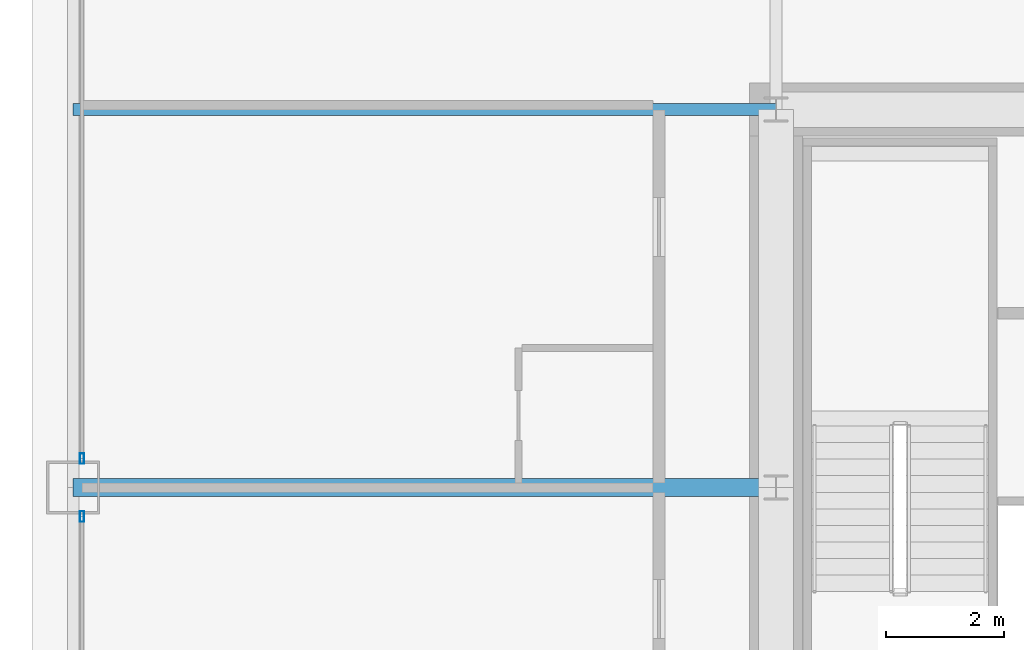
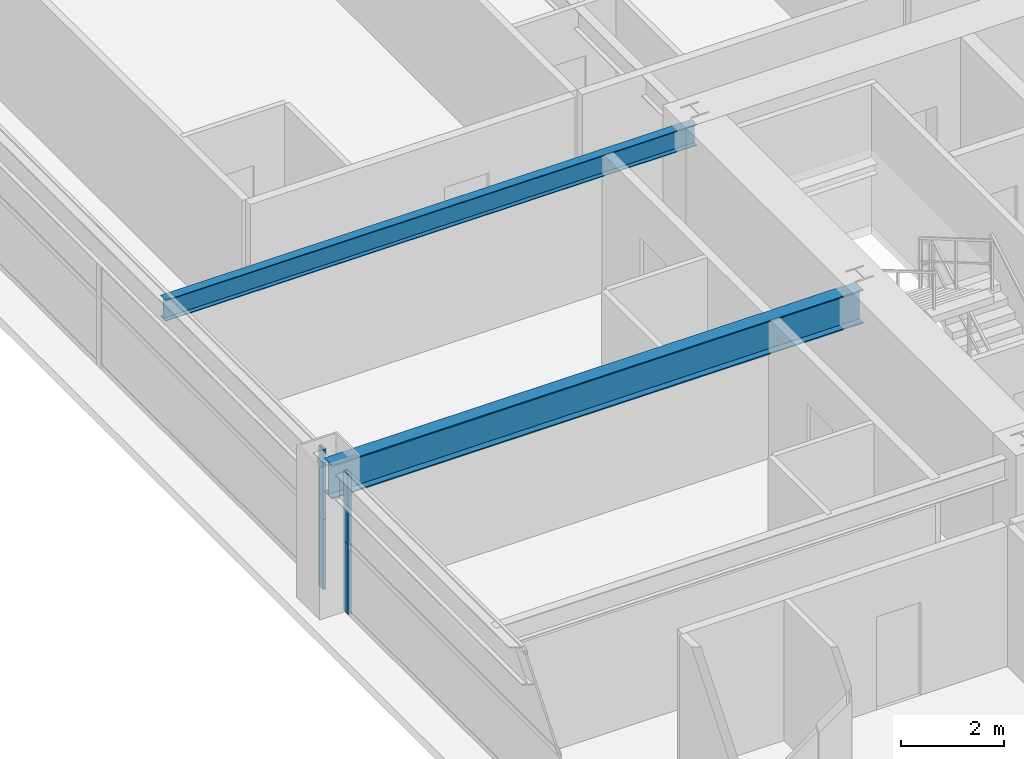
# One storey, part 11 of 43: 4 members, 2 beams, 2 elements without a shape of their own.
"""IFC4 building model written with IfcOpenShell, lengths in metres."""

from ifc_helpers import new_model, si_unit, direction, frame, origin, origin_2d, place, context, subcontext, project, spatial, hollow_rectangle, i_section, extrude, source, transform, mapped, material, layer, layer_set, material_profile, profile_set, type_object, element, aggregate, save


model = new_model("IFC4")

# Units and contexts
model_context = context("Model", 3, precision=1e-05, world=origin(), true_north=direction((0.0, 1.0)))
body_context = subcontext(model_context, "Body", "Model", "MODEL_VIEW")
ifc_project = project(units=[si_unit("LENGTHUNIT", "METRE"), si_unit("AREAUNIT", "SQUARE_METRE"), si_unit("VOLUMEUNIT", "CUBIC_METRE"), si_unit("PLANEANGLEUNIT", "RADIAN"), si_unit("MASSUNIT", "GRAM", prefix="KILO"), si_unit("THERMODYNAMICTEMPERATUREUNIT", "KELVIN"), si_unit("POWERUNIT", "WATT")], contexts=[model_context])

# Site, building, storey
site_placement = place(None, origin())
site = spatial("IfcSite", under=ifc_project, at=site_placement, CompositionType="ELEMENT")
building_placement = place(site_placement, origin())
building = spatial("IfcBuilding", under=site, at=building_placement, Name="Yuzanri Waterfront Tower", CompositionType="ELEMENT")
storey_placement = place(building_placement, frame((0.0, 0.0, 37.800048828125)))
storey = spatial("IfcBuildingStorey", under=building, at=storey_placement, Name="L09", CompositionType="ELEMENT", Elevation=37.800048828125)

# Beams
ifc_material_1 = material(Name="Steel Q355B", Category="steel")
ifc_material_profile_1 = material_profile(ifc_material_1, i_section(OverallWidth=0.300048828125, OverallDepth=0.800048828125, WebThickness=0.013916015625, FlangeThickness=0.02587890625, at=origin_2d()), Name="HN 800x300x14x26")
ifc_profile_set_1 = profile_set([ifc_material_profile_1], Name="Steel Q355B")
beam_type_1 = type_object("IfcBeamType", Name="Primary Floor Girder Q355B HN 800x300", PredefinedType="BEAM", material=ifc_profile_set_1)
shared_shape_1 = source(origin(), body_context, "Body", "SweptSolid", [
    extrude(i_section(OverallWidth=0.300048828125, OverallDepth=0.800048828125, WebThickness=0.013916015625, FlangeThickness=0.02587890625, at=origin_2d()), origin(), (0.0, 0.0, 1.0), 11.900146484375),
])
beam_1_placement = place(storey_placement, frame((23.800048828125, 25.800048828125, 2.919921875), z_axis=(-1.0, 0.0, 0.0), x_axis=(0.0, -1.0, 0.0)))
element("IfcBeam", 1, at=beam_1_placement, inside=storey, type_object=beam_type_1, Name="L09 West Grid Girder", PredefinedType="BEAM", context=body_context, shape_type="MappedRepresentation", body=[
    mapped(shared_shape_1, transform((0.0, 0.0, 0.0), scale=1.0)),
])
ifc_material_2 = material(Name="Steel Q355B", Category="steel")
ifc_material_profile_2 = material_profile(ifc_material_2, i_section(OverallWidth=0.199951171875, OverallDepth=0.5, WebThickness=0.010009765625, FlangeThickness=0.01611328125, at=origin_2d()), Name="HN 500x200x10x16")
ifc_profile_set_2 = profile_set([ifc_material_profile_2], Name="Steel Q355B")
beam_type_2 = type_object("IfcBeamType", Name="Secondary Floor Beam Q355B HN 500x200", PredefinedType="BEAM", material=ifc_profile_set_2)
shared_shape_2 = source(origin(), body_context, "Body", "SweptSolid", [
    extrude(i_section(OverallWidth=0.199951171875, OverallDepth=0.5, WebThickness=0.010009765625, FlangeThickness=0.01611328125, at=origin_2d()), origin(), (0.0, 0.0, 1.0), 11.900146484375),
])
beam_2_placement = place(storey_placement, frame((23.800048828125, 32.199951171875, 3.070068359375), z_axis=(-1.0, 0.0, 0.0), x_axis=(0.0, -1.0, 0.0)))
element("IfcBeam", 2, at=beam_2_placement, inside=storey, type_object=beam_type_2, Name="L09 West-North Core Line Beam", PredefinedType="BEAM", context=body_context, shape_type="MappedRepresentation", body=[
    mapped(shared_shape_2, transform((0.0, 0.0, 0.0), scale=1.0)),
])

# Curtain wall, member
ifc_material_3 = material(Name="Anodized Architectural Bronze", Category="metal")
ifc_layer = layer(ifc_material_3, 0.159912109375)
ifc_layer_set = layer_set([ifc_layer], Name="Anodized Architectural Bronze")
curtain_wall_type = type_object("IfcCurtainWallType", Name="Anodized Bronze Hotel Lower-Tier Recessed Unitized Curtain Wall 8100", PredefinedType="NOTDEFINED", material=ifc_layer_set)
curtain_wall_1_placement = place(storey_placement, origin())
curtain_wall_1 = element("IfcCurtainWall", 3, at=curtain_wall_1_placement, inside=storey, type_object=curtain_wall_type, Name="L09 Curtain Wall CW-L09-WL", PredefinedType="NOTDEFINED")
ifc_material_4 = material(Name="Anodized Architectural Bronze", Category="metal")
ifc_material_profile_3 = material_profile(ifc_material_4, hollow_rectangle(XDim=0.070068359375, YDim=0.179931640625, WallThickness=0.00390625, at=origin_2d()), Name="CWM 70x180")
ifc_profile_set_3 = profile_set([ifc_material_profile_3], Name="Anodized Architectural Bronze")
member_type = type_object("IfcMemberType", Name="Anodized Bronze Standard Curtain-Wall Mullion 70x180", PredefinedType="MULLION", material=ifc_profile_set_3)
shared_shape_3 = source(origin(), body_context, "Body", "SweptSolid", [
    extrude(hollow_rectangle(XDim=0.070068359375, YDim=0.179931640625, WallThickness=0.00390625, at=origin_2d()), origin(), (0.0, 0.0, 1.0), 1.657958984375),
])
member_1_placement = place(storey_placement, frame((12.050048828125, 25.31005859375, 0.0), z_axis=(0.0, 0.0, 1.0), x_axis=(1.0, 0.0, 0.0)))
member_1 = element("IfcMember", 4, at=member_1_placement, type_object=member_type, Name="CW-L09-WL Lower Mullion 02", PredefinedType="MULLION", context=body_context, shape_type="MappedRepresentation", body=[
    mapped(shared_shape_3, transform((0.0, 0.0, 0.0), scale=1.0)),
])

curtain_wall_2_placement = place(storey_placement, origin())
curtain_wall_2 = element("IfcCurtainWall", 5, at=curtain_wall_2_placement, inside=storey, type_object=curtain_wall_type, Name="L09 Curtain Wall CW-L09-WR", PredefinedType="NOTDEFINED")
member_2_placement = place(storey_placement, frame((12.050048828125, 26.2900390625, 0.0), z_axis=(0.0, 0.0, 1.0), x_axis=(1.0, 0.0, 0.0)))
member_2 = element("IfcMember", 6, at=member_2_placement, type_object=member_type, Name="CW-L09-WR Lower Mullion 00", PredefinedType="MULLION", context=body_context, shape_type="MappedRepresentation", body=[
    mapped(shared_shape_3, transform((0.0, 0.0, 0.0), scale=1.0)),
])

# Member
shared_shape_4 = source(origin(), body_context, "Body", "SweptSolid", [
    extrude(hollow_rectangle(XDim=0.070068359375, YDim=0.179931640625, WallThickness=0.00390625, at=origin_2d()), origin(), (0.0, 0.0, 1.0), 1.658203125),
])
member_3_placement = place(storey_placement, frame((12.050048828125, 25.31005859375, 1.661865234375), z_axis=(0.0, 0.0, 1.0), x_axis=(1.0, 0.0, 0.0)))
member_3 = element("IfcMember", 7, at=member_3_placement, type_object=member_type, Name="CW-L09-WL Upper Mullion 02", PredefinedType="MULLION", context=body_context, shape_type="MappedRepresentation", body=[
    mapped(shared_shape_4, transform((0.0, 0.0, 0.0), scale=1.0)),
])

aggregate(curtain_wall_1, [member_1, member_3])

member_4_placement = place(storey_placement, frame((12.050048828125, 26.2900390625, 1.661865234375), z_axis=(0.0, 0.0, 1.0), x_axis=(1.0, 0.0, 0.0)))
member_4 = element("IfcMember", 8, at=member_4_placement, type_object=member_type, Name="CW-L09-WR Upper Mullion 00", PredefinedType="MULLION", context=body_context, shape_type="MappedRepresentation", body=[
    mapped(shared_shape_4, transform((0.0, 0.0, 0.0), scale=1.0)),
])

aggregate(curtain_wall_2, [member_2, member_4])

save(model, "model.ifc")
